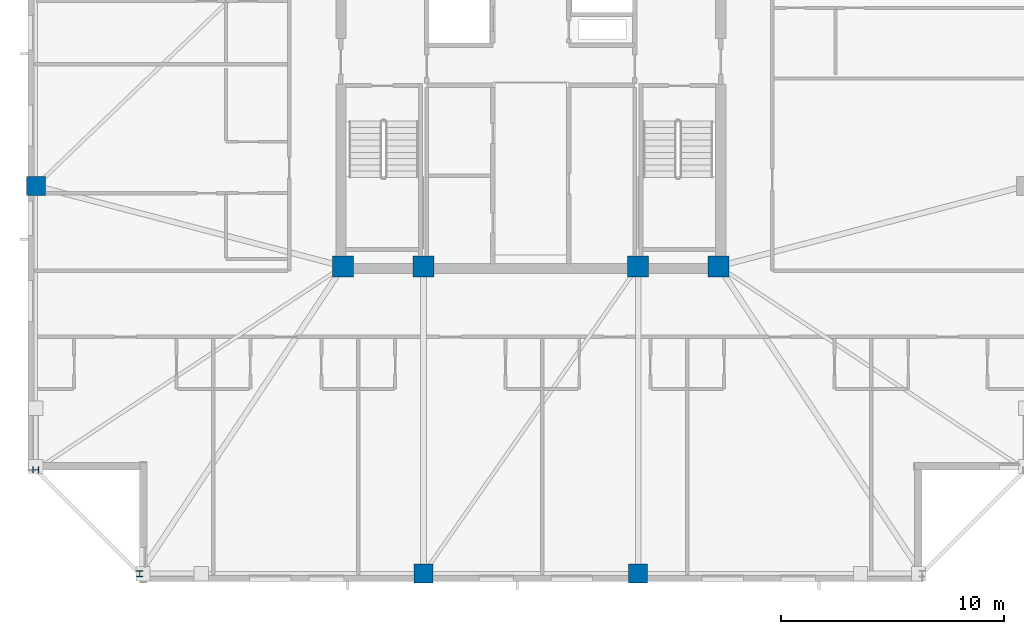
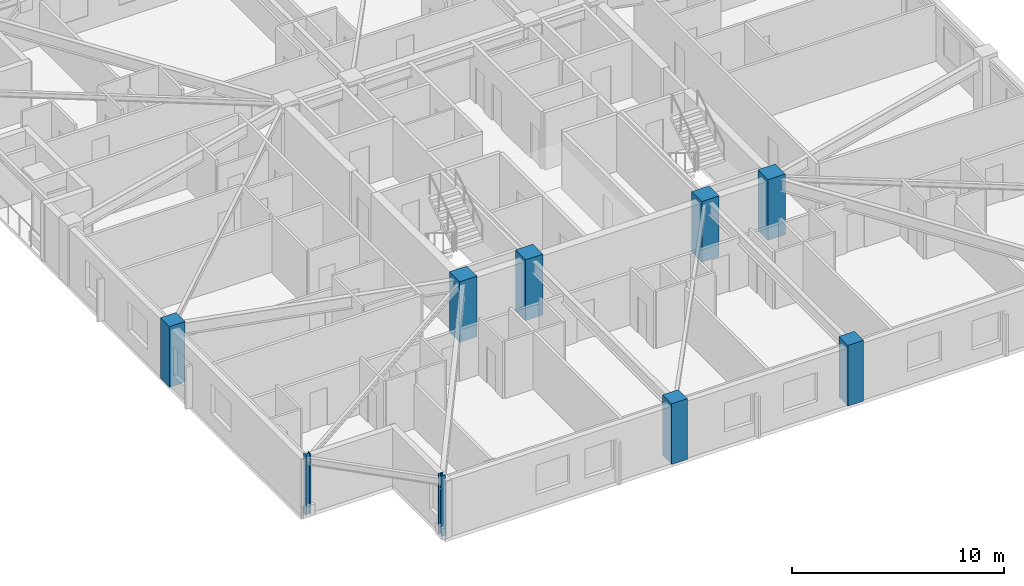
# One storey, part 1 of 17: 9 columns.
"""IFC4 building model written with IfcOpenShell, lengths in metres."""

from ifc_helpers import new_model, si_unit, direction, frame, origin, origin_2d, place, context, subcontext, project, spatial, rectangle, i_section, extrude, material, material_profile, profile_set, type_object, element, save


model = new_model("IFC4")

# Units and contexts
model_context = context("Model", 3, precision=1e-05, world=origin(), true_north=direction((0.0, 1.0)))
body_context = subcontext(model_context, "Body", "Model", "MODEL_VIEW")
ifc_project = project(units=[si_unit("LENGTHUNIT", "METRE"), si_unit("AREAUNIT", "SQUARE_METRE"), si_unit("VOLUMEUNIT", "CUBIC_METRE"), si_unit("PLANEANGLEUNIT", "RADIAN"), si_unit("MASSUNIT", "GRAM", prefix="KILO")], contexts=[model_context])

# Site, building, storey
site_placement = place(None, origin())
site = spatial("IfcSite", under=ifc_project, at=site_placement, CompositionType="ELEMENT")
building_placement = place(site_placement, origin())
building = spatial("IfcBuilding", under=site, at=building_placement, Name="Cairnveth Concourse Tower", CompositionType="ELEMENT")
storey_placement = place(building_placement, frame((0.0, 0.0, 234.0)))
storey = spatial("IfcBuildingStorey", under=building, at=storey_placement, Name="L64", CompositionType="ELEMENT", Elevation=234.0)

# Columns
ifc_material_1 = material(Name="Concrete N65 (65 MPa)", Category="concrete")
ifc_material_profile_1 = material_profile(ifc_material_1, rectangle(XDim=0.949951171875, YDim=0.949951171875, at=origin_2d()), Name="RC-COL-950x950")
ifc_profile_set_1 = profile_set([ifc_material_profile_1], Name="Concrete N65 (65 MPa)")
column_type_1 = type_object("IfcColumnType", Name="CORE COLUMN 950X950", PredefinedType="COLUMN", material=ifc_profile_set_1)
for number, where, z_axis, x_axis, name in (
    (1, (43.60009765625, 30.60009765625, 0.0), (0.0, 0.0, 1.0), (1.0, 0.0, 0.0), "Column CC1 L64"),
    (2, (47.199951171875, 30.60009765625, 0.0), (0.0, 0.0, 1.0), (1.0, 0.0, 0.0), "Column CC2 L64"),
    (3, (56.800048828125, 30.60009765625, 0.0), (0.0, 0.0, 1.0), (1.0, 0.0, 0.0), "Column CC3 L64"),
    (4, (60.39990234375, 30.60009765625, 0.0), (0.0, 0.0, 1.0), (1.0, 0.0, 0.0), "Column CC4 L64"),
):
    element("IfcColumn", number, at=place(storey_placement, frame(where, z_axis=z_axis, x_axis=x_axis)), inside=storey, type_object=column_type_1, Name=name, PredefinedType="COLUMN", context=body_context, shape_type="SweptSolid", body=[
        extrude(rectangle(XDim=0.949951171875, YDim=0.949951171875, at=origin_2d()), origin(), (0.0, 0.0, 1.0), 3.5),
    ])
ifc_material_profile_2 = material_profile(ifc_material_1, rectangle(XDim=0.85009765625, YDim=0.85009765625, at=origin_2d()), Name="RC-COL-850x850")
ifc_profile_set_2 = profile_set([ifc_material_profile_2], Name="Concrete N65 (65 MPa)")
column_type_2 = type_object("IfcColumnType", Name="PERIMETER PIER COLUMN 850X850", PredefinedType="COLUMN", material=ifc_profile_set_2)
for number, where, z_axis, x_axis, name in (
    (5, (47.199951171875, 16.85009765625, 0.0), (0.0, 0.0, 1.0), (1.0, 0.0, 0.0), "Column P-S2 L64"),
    (6, (56.800048828125, 16.85009765625, 0.0), (0.0, 0.0, 1.0), (1.0, 0.0, 0.0), "Column P-S3 L64"),
    (7, (29.85009765625, 34.199951171875, 0.0), (0.0, 0.0, 1.0), (0.0, 1.0, 0.0), "Column P-W3 L64"),
):
    element("IfcColumn", number, at=place(storey_placement, frame(where, z_axis=z_axis, x_axis=x_axis)), inside=storey, type_object=column_type_2, Name=name, PredefinedType="COLUMN", context=body_context, shape_type="SweptSolid", body=[
        extrude(rectangle(XDim=0.85009765625, YDim=0.85009765625, at=origin_2d()), origin(), (0.0, 0.0, 1.0), 3.5),
    ])
ifc_material_2 = material(Name="Steel Grade 350", Category="steel")
ifc_material_profile_3 = material_profile(ifc_material_2, i_section(OverallWidth=0.256103515625, OverallDepth=0.260009765625, WebThickness=0.010498046875, FlangeThickness=0.017333984375, FilletRadius=0.012939453125, at=origin_2d()), Name="250UC89.5")
ifc_profile_set_3 = profile_set([ifc_material_profile_3], Name="Steel Grade 350")
column_type_3 = type_object("IfcColumnType", Name="UNIVERSAL STEEL COLUMN 250UC89.5", PredefinedType="COLUMN", material=ifc_profile_set_3)
for number, where, z_axis, x_axis, name in (
    (8, (34.5, 16.85009765625, 0.0), (0.0, 0.0, 1.0), (1.0, 0.0, 0.0), "Column P-S1 L64"),
    (9, (29.85009765625, 21.5, 0.0), (0.0, 0.0, 1.0), (0.0, 1.0, 0.0), "Column P-W4 L64"),
):
    element("IfcColumn", number, at=place(storey_placement, frame(where, z_axis=z_axis, x_axis=x_axis)), inside=storey, type_object=column_type_3, Name=name, PredefinedType="COLUMN", context=body_context, shape_type="SweptSolid", body=[
        extrude(i_section(OverallWidth=0.256103515625, OverallDepth=0.260009765625, WebThickness=0.010498046875, FlangeThickness=0.017333984375, FilletRadius=0.012939453125, at=origin_2d()), origin(), (0.0, 0.0, 1.0), 3.5),
    ])

save(model, "model.ifc")
